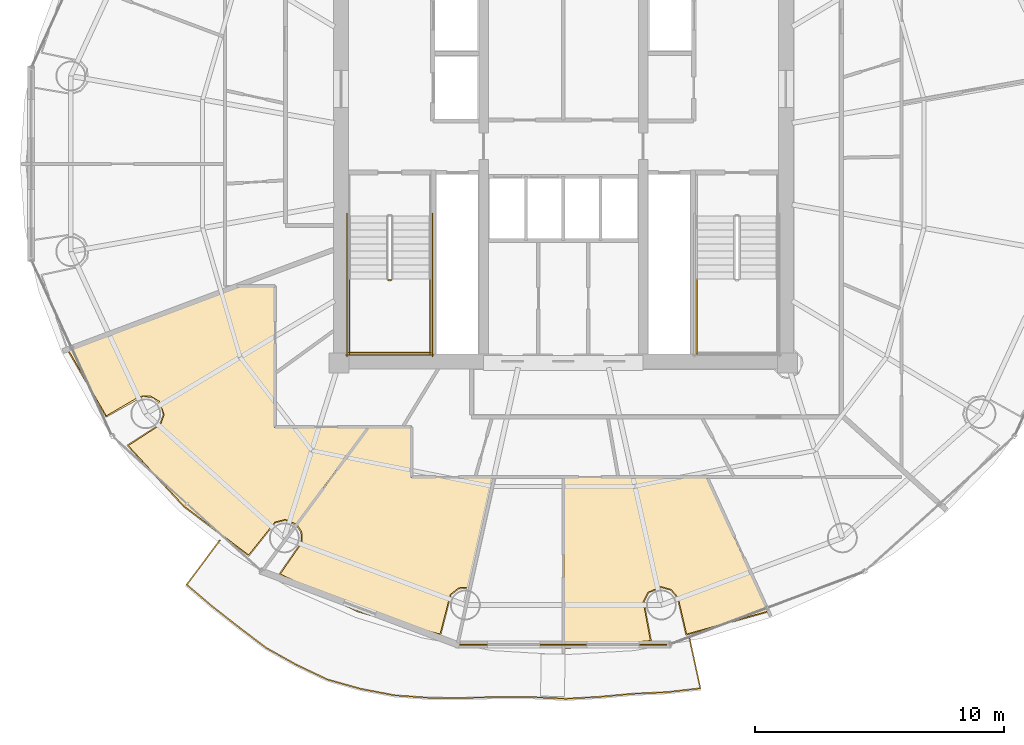
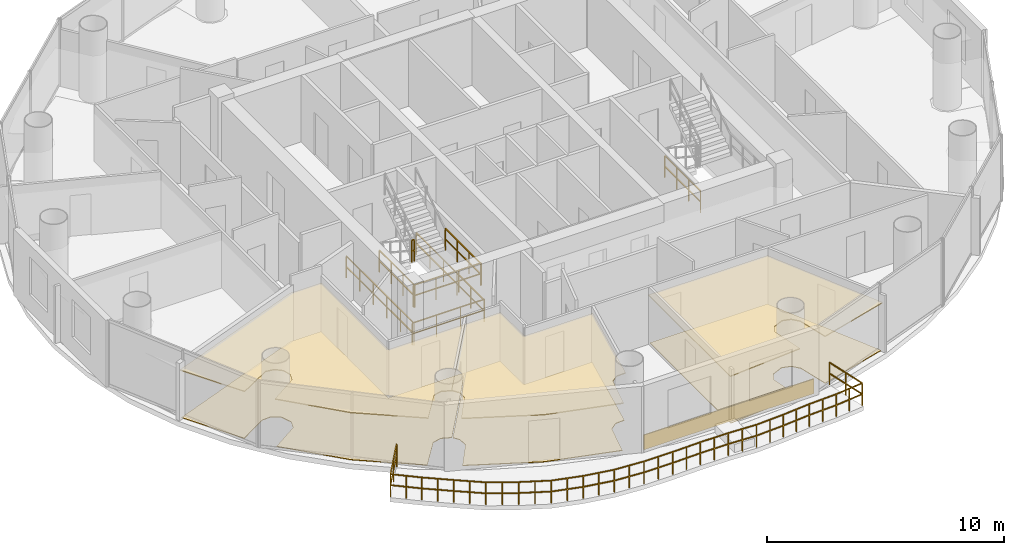
# One storey, part 24 of 26: 9 railings, 7 coverings.
"""IFC4 building model written with IfcOpenShell, lengths in metres."""

from ifc_helpers import new_model, si_unit, direction, frame, origin, origin_2d, place, context, subcontext, project, spatial, polyline, rectangle, outline, extrude, source, transform, mapped, material, layer, layer_set, type_object, element, save


model = new_model("IFC4")

# Units and contexts
model_context = context("Model", 3, precision=1e-05, world=origin(), true_north=direction((-0.2419218956, 0.970295726276)))
body_context = subcontext(model_context, "Body", "Model", "MODEL_VIEW")
ifc_project = project(units=[si_unit("LENGTHUNIT", "METRE"), si_unit("AREAUNIT", "SQUARE_METRE"), si_unit("VOLUMEUNIT", "CUBIC_METRE"), si_unit("PLANEANGLEUNIT", "RADIAN"), si_unit("MASSUNIT", "GRAM", prefix="KILO")], contexts=[model_context])

# Site, building, storey
site_placement = place(None, origin())
site = spatial("IfcSite", under=ifc_project, at=site_placement, CompositionType="ELEMENT")
building_placement = place(site_placement, origin())
building = spatial("IfcBuilding", under=site, at=building_placement, Name="Cobrevalo Terracotta Tower", CompositionType="ELEMENT")
storey_placement = place(building_placement, frame((0.0, 0.0, 209.699951171875)))
storey = spatial("IfcBuildingStorey", under=building, at=storey_placement, Name="L55", CompositionType="ELEMENT", Elevation=209.699951171875)

# Railing
ifc_material_1 = material(Name="Laminated structural glass and stainless steel", Category="steel")
railing_type_1 = type_object("IfcRailingType", Name="Balcony lobe structural glass & terracotta-cap balustrade 1180 mm", PredefinedType="BALUSTRADE", material=ifc_material_1)
railing_1_placement = place(storey_placement, frame((24.21484375, 11.69287109375, 0.0)))
element("IfcRailing", 1, at=railing_1_placement, inside=storey, type_object=railing_type_1, Name="L55 spiralling balcony lobe balustrade 2", PredefinedType="BALUSTRADE", context=body_context, shape_type="SweptSolid", body=[
    extrude(rectangle(XDim=0.048095703125, YDim=0.048095703125, at=origin_2d()), frame((0.0, 0.0, 1.15576171875), z_axis=(-0.597762784822, -0.801673033775, 0.0), x_axis=(0.801673033775, -0.597762784822, 0.0)), (0.0, 0.0, 1.0), 2.2197265625),
    extrude(rectangle(XDim=0.048095703125, YDim=0.048095703125, at=origin_2d()), frame((0.0, 0.0, 0.58984375), z_axis=(-0.597762784822, -0.801673033775, 0.0), x_axis=(0.801673033775, -0.597762784822, 0.0)), (0.0, 0.0, 1.0), 2.2197265625),
    extrude(rectangle(XDim=0.048095703125, YDim=0.048095703125, at=origin_2d()), frame((-1.326904296875, -1.779541015625, 1.15576171875), z_axis=(0.761642658548, -0.647997269037, 0.0), x_axis=(0.647997269037, 0.761642658548, 0.0)), (0.0, 0.0, 1.0), 1.340576171875),
    extrude(rectangle(XDim=0.048095703125, YDim=0.048095703125, at=origin_2d()), frame((-1.326904296875, -1.779541015625, 0.58984375), z_axis=(0.761642658548, -0.647997269037, 0.0), x_axis=(0.647997269037, 0.761642658548, 0.0)), (0.0, 0.0, 1.0), 1.340576171875),
    extrude(rectangle(XDim=0.048095703125, YDim=0.048095703125, at=origin_2d()), frame((-0.305908203125, -2.648193359375, 1.15576171875), z_axis=(0.78735727438, -0.616496976863, 0.0), x_axis=(0.616496976863, 0.78735727438, 0.0)), (0.0, 0.0, 1.0), 1.3603515625),
    extrude(rectangle(XDim=0.048095703125, YDim=0.048095703125, at=origin_2d()), frame((-0.305908203125, -2.648193359375, 0.58984375), z_axis=(0.78735727438, -0.616496976863, 0.0), x_axis=(0.616496976863, 0.78735727438, 0.0)), (0.0, 0.0, 1.0), 1.3603515625),
    extrude(rectangle(XDim=0.048095703125, YDim=0.048095703125, at=origin_2d()), frame((0.76513671875, -3.48681640625, 1.15576171875), z_axis=(0.797200878701, -0.603714136821, 0.0), x_axis=(0.603714136821, 0.797200878701, 0.0)), (0.0, 0.0, 1.0), 1.375244140625),
    extrude(rectangle(XDim=0.048095703125, YDim=0.048095703125, at=origin_2d()), frame((0.76513671875, -3.48681640625, 0.58984375), z_axis=(0.797200878701, -0.603714136821, 0.0), x_axis=(0.603714136821, 0.797200878701, 0.0)), (0.0, 0.0, 1.0), 1.375244140625),
    extrude(rectangle(XDim=0.048095703125, YDim=0.048095703125, at=origin_2d()), frame((1.861572265625, -4.317138671875, 1.15576171875), z_axis=(0.872963388875, -0.487785733375, 0.0), x_axis=(0.487785733375, 0.872963388875, 0.0)), (0.0, 0.0, 1.0), 1.38232421875),
    extrude(rectangle(XDim=0.048095703125, YDim=0.048095703125, at=origin_2d()), frame((1.861572265625, -4.317138671875, 0.58984375), z_axis=(0.872963388875, -0.487785733375, 0.0), x_axis=(0.487785733375, 0.872963388875, 0.0)), (0.0, 0.0, 1.0), 1.38232421875),
    extrude(rectangle(XDim=0.048095703125, YDim=0.048095703125, at=origin_2d()), frame((3.068359375, -4.991455078125, 1.15576171875), z_axis=(0.903238210589, -0.429139528513, 0.0), x_axis=(0.429139528513, 0.903238210589, 0.0)), (0.0, 0.0, 1.0), 1.384765625),
    extrude(rectangle(XDim=0.048095703125, YDim=0.048095703125, at=origin_2d()), frame((3.068359375, -4.991455078125, 0.58984375), z_axis=(0.903238210589, -0.429139528513, 0.0), x_axis=(0.429139528513, 0.903238210589, 0.0)), (0.0, 0.0, 1.0), 1.384765625),
    extrude(rectangle(XDim=0.048095703125, YDim=0.048095703125, at=origin_2d()), frame((4.319091796875, -5.585693359375, 1.15576171875), z_axis=(0.962849200281, -0.270039659157, 0.0), x_axis=(0.270039659157, 0.962849200281, 0.0)), (0.0, 0.0, 1.0), 1.392333984375),
    extrude(rectangle(XDim=0.048095703125, YDim=0.048095703125, at=origin_2d()), frame((4.319091796875, -5.585693359375, 0.58984375), z_axis=(0.962849200281, -0.270039659157, 0.0), x_axis=(0.270039659157, 0.962849200281, 0.0)), (0.0, 0.0, 1.0), 1.392333984375),
    extrude(rectangle(XDim=0.048095703125, YDim=0.048095703125, at=origin_2d()), frame((5.65966796875, -5.961669921875, 1.15576171875), z_axis=(0.982404507671, -0.18676558384, 0.0), x_axis=(0.18676558384, 0.982404507671, 0.0)), (0.0, 0.0, 1.0), 1.39208984375),
    extrude(rectangle(XDim=0.048095703125, YDim=0.048095703125, at=origin_2d()), frame((5.65966796875, -5.961669921875, 0.58984375), z_axis=(0.982404507671, -0.18676558384, 0.0), x_axis=(0.18676558384, 0.982404507671, 0.0)), (0.0, 0.0, 1.0), 1.39208984375),
    extrude(rectangle(XDim=0.048095703125, YDim=0.048095703125, at=origin_2d()), frame((7.02734375, -6.2216796875, 1.15576171875), z_axis=(0.997537108573, -0.070140694466, 0.0), x_axis=(0.070140694466, 0.997537108573, 0.0)), (0.0, 0.0, 1.0), 1.395751953125),
    extrude(rectangle(XDim=0.048095703125, YDim=0.048095703125, at=origin_2d()), frame((7.02734375, -6.2216796875, 0.58984375), z_axis=(0.997537108573, -0.070140694466, 0.0), x_axis=(0.070140694466, 0.997537108573, 0.0)), (0.0, 0.0, 1.0), 1.395751953125),
    extrude(rectangle(XDim=0.048095703125, YDim=0.048095703125, at=origin_2d()), frame((8.419677734375, -6.319580078125, 1.15576171875), z_axis=(0.999996537414, -0.002631569835, 0.0), x_axis=(0.002631569835, 0.999996537414, 0.0)), (0.0, 0.0, 1.0), 1.3916015625),
    extrude(rectangle(XDim=0.048095703125, YDim=0.048095703125, at=origin_2d()), frame((8.419677734375, -6.319580078125, 0.58984375), z_axis=(0.999996537414, -0.002631569835, 0.0), x_axis=(0.002631569835, 0.999996537414, 0.0)), (0.0, 0.0, 1.0), 1.3916015625),
    extrude(rectangle(XDim=0.048095703125, YDim=0.048095703125, at=origin_2d()), frame((9.811279296875, -6.3232421875, 1.15576171875), z_axis=(0.999615105914, 0.027742386857, 0.0), x_axis=(-0.027742386857, 0.999615105914, 0.0)), (0.0, 0.0, 1.0), 1.372802734375),
    extrude(rectangle(XDim=0.048095703125, YDim=0.048095703125, at=origin_2d()), frame((9.811279296875, -6.3232421875, 0.58984375), z_axis=(0.999615105914, 0.027742386857, 0.0), x_axis=(-0.027742386857, 0.999615105914, 0.0)), (0.0, 0.0, 1.0), 1.372802734375),
    extrude(rectangle(XDim=0.048095703125, YDim=0.048095703125, at=origin_2d()), frame((11.18359375, -6.28515625, 1.15576171875), z_axis=(0.999987296902, -0.00504044002, 0.0), x_axis=(0.00504044002, 0.999987296902, 0.0)), (0.0, 0.0, 1.0), 1.356201171875),
    extrude(rectangle(XDim=0.048095703125, YDim=0.048095703125, at=origin_2d()), frame((11.18359375, -6.28515625, 0.58984375), z_axis=(0.999987296902, -0.00504044002, 0.0), x_axis=(0.00504044002, 0.999987296902, 0.0)), (0.0, 0.0, 1.0), 1.356201171875),
    extrude(rectangle(XDim=0.048095703125, YDim=0.048095703125, at=origin_2d()), frame((12.539794921875, -6.2919921875, 1.15576171875), z_axis=(0.998833928871, -0.048278178676, 0.0), x_axis=(0.048278178676, 0.998833928871, 0.0)), (0.0, 0.0, 1.0), 1.35009765625),
    extrude(rectangle(XDim=0.048095703125, YDim=0.048095703125, at=origin_2d()), frame((12.539794921875, -6.2919921875, 0.58984375), z_axis=(0.998833928871, -0.048278178676, 0.0), x_axis=(0.048278178676, 0.998833928871, 0.0)), (0.0, 0.0, 1.0), 1.35009765625),
    extrude(rectangle(XDim=0.048095703125, YDim=0.048095703125, at=origin_2d()), frame((13.888427734375, -6.357177734375, 1.15576171875), z_axis=(0.998368392493, 0.057101251046, 0.0), x_axis=(-0.057101251046, 0.998368392493, 0.0)), (0.0, 0.0, 1.0), 1.35107421875),
    extrude(rectangle(XDim=0.048095703125, YDim=0.048095703125, at=origin_2d()), frame((13.888427734375, -6.357177734375, 0.58984375), z_axis=(0.998368392493, 0.057101251046, 0.0), x_axis=(-0.057101251046, 0.998368392493, 0.0)), (0.0, 0.0, 1.0), 1.35107421875),
    extrude(rectangle(XDim=0.048095703125, YDim=0.048095703125, at=origin_2d()), frame((15.2373046875, -6.280029296875, 1.15576171875), z_axis=(0.995752658795, 0.09206868362, 0.0), x_axis=(-0.09206868362, 0.995752658795, 0.0)), (0.0, 0.0, 1.0), 1.349609375),
    extrude(rectangle(XDim=0.048095703125, YDim=0.048095703125, at=origin_2d()), frame((15.2373046875, -6.280029296875, 0.58984375), z_axis=(0.995752658795, 0.09206868362, 0.0), x_axis=(-0.09206868362, 0.995752658795, 0.0)), (0.0, 0.0, 1.0), 1.349609375),
    extrude(rectangle(XDim=0.048095703125, YDim=0.048095703125, at=origin_2d()), frame((16.581298828125, -6.15576171875, 1.15576171875), z_axis=(0.998933284277, 0.046176764315, 0.0), x_axis=(-0.046176764315, 0.998933284277, 0.0)), (0.0, 0.0, 1.0), 1.353515625),
    extrude(rectangle(XDim=0.048095703125, YDim=0.048095703125, at=origin_2d()), frame((16.581298828125, -6.15576171875, 0.58984375), z_axis=(0.998933284277, 0.046176764315, 0.0), x_axis=(-0.046176764315, 0.998933284277, 0.0)), (0.0, 0.0, 1.0), 1.353515625),
    extrude(rectangle(XDim=0.048095703125, YDim=0.048095703125, at=origin_2d()), frame((17.933349609375, -6.09326171875, 1.15576171875), z_axis=(0.993577748747, 0.113151478979, 0.0), x_axis=(-0.113151478979, 0.993577748747, 0.0)), (0.0, 0.0, 1.0), 1.359375),
    extrude(rectangle(XDim=0.048095703125, YDim=0.048095703125, at=origin_2d()), frame((17.933349609375, -6.09326171875, 0.58984375), z_axis=(0.993577748747, 0.113151478979, 0.0), x_axis=(-0.113151478979, 0.993577748747, 0.0)), (0.0, 0.0, 1.0), 1.359375),
    extrude(rectangle(XDim=0.048095703125, YDim=0.048095703125, at=origin_2d()), frame((19.283935546875, -5.939453125, 1.15576171875), z_axis=(-0.212291313127, 0.97720642567, 0.0), x_axis=(-0.97720642567, -0.212291313127, 0.0)), (0.0, 0.0, 1.0), 2.0517578125),
    extrude(rectangle(XDim=0.048095703125, YDim=0.048095703125, at=origin_2d()), frame((19.283935546875, -5.939453125, 0.58984375), z_axis=(-0.212291313127, 0.97720642567, 0.0), x_axis=(-0.97720642567, -0.212291313127, 0.0)), (0.0, 0.0, 1.0), 2.0517578125),
    extrude(rectangle(XDim=0.0419921875, YDim=0.0419921875, at=origin_2d()), origin(), (0.0, 0.0, 1.0), 1.1318359375),
    extrude(rectangle(XDim=0.0419921875, YDim=0.0419921875, at=origin_2d()), frame((-0.66357421875, -0.8896484375, 0.0)), (0.0, 0.0, 1.0), 1.1318359375),
    extrude(rectangle(XDim=0.0419921875, YDim=0.0419921875, at=origin_2d()), frame((-1.326904296875, -1.779541015625, 0.0)), (0.0, 0.0, 1.0), 1.1318359375),
    extrude(rectangle(XDim=0.0419921875, YDim=0.0419921875, at=origin_2d()), frame((-0.81640625, -2.2138671875, 0.0)), (0.0, 0.0, 1.0), 1.1318359375),
    extrude(rectangle(XDim=0.0419921875, YDim=0.0419921875, at=origin_2d()), frame((-0.305908203125, -2.648193359375, 0.0)), (0.0, 0.0, 1.0), 1.1318359375),
    extrude(rectangle(XDim=0.0419921875, YDim=0.0419921875, at=origin_2d()), frame((0.2294921875, -3.0673828125, 0.0)), (0.0, 0.0, 1.0), 1.1318359375),
    extrude(rectangle(XDim=0.0419921875, YDim=0.0419921875, at=origin_2d()), frame((0.76513671875, -3.48681640625, 0.0)), (0.0, 0.0, 1.0), 1.1318359375),
    extrude(rectangle(XDim=0.0419921875, YDim=0.0419921875, at=origin_2d()), frame((1.3134765625, -3.90185546875, 0.0)), (0.0, 0.0, 1.0), 1.1318359375),
    extrude(rectangle(XDim=0.0419921875, YDim=0.0419921875, at=origin_2d()), frame((1.861572265625, -4.317138671875, 0.0)), (0.0, 0.0, 1.0), 1.1318359375),
    extrude(rectangle(XDim=0.0419921875, YDim=0.0419921875, at=origin_2d()), frame((2.46484375, -4.654296875, 0.0)), (0.0, 0.0, 1.0), 1.1318359375),
    extrude(rectangle(XDim=0.0419921875, YDim=0.0419921875, at=origin_2d()), frame((3.068359375, -4.991455078125, 0.0)), (0.0, 0.0, 1.0), 1.1318359375),
    extrude(rectangle(XDim=0.0419921875, YDim=0.0419921875, at=origin_2d()), frame((3.69384765625, -5.28857421875, 0.0)), (0.0, 0.0, 1.0), 1.1318359375),
    extrude(rectangle(XDim=0.0419921875, YDim=0.0419921875, at=origin_2d()), frame((4.319091796875, -5.585693359375, 0.0)), (0.0, 0.0, 1.0), 1.1318359375),
    extrude(rectangle(XDim=0.0419921875, YDim=0.0419921875, at=origin_2d()), frame((4.9892578125, -5.773681640625, 0.0)), (0.0, 0.0, 1.0), 1.1318359375),
    extrude(rectangle(XDim=0.0419921875, YDim=0.0419921875, at=origin_2d()), frame((5.65966796875, -5.961669921875, 0.0)), (0.0, 0.0, 1.0), 1.1318359375),
    extrude(rectangle(XDim=0.0419921875, YDim=0.0419921875, at=origin_2d()), frame((6.343505859375, -6.091796875, 0.0)), (0.0, 0.0, 1.0), 1.1318359375),
    extrude(rectangle(XDim=0.0419921875, YDim=0.0419921875, at=origin_2d()), frame((7.02734375, -6.2216796875, 0.0)), (0.0, 0.0, 1.0), 1.1318359375),
    extrude(rectangle(XDim=0.0419921875, YDim=0.0419921875, at=origin_2d()), frame((7.7236328125, -6.2705078125, 0.0)), (0.0, 0.0, 1.0), 1.1318359375),
    extrude(rectangle(XDim=0.0419921875, YDim=0.0419921875, at=origin_2d()), frame((8.419677734375, -6.319580078125, 0.0)), (0.0, 0.0, 1.0), 1.1318359375),
    extrude(rectangle(XDim=0.0419921875, YDim=0.0419921875, at=origin_2d()), frame((9.115478515625, -6.3212890625, 0.0)), (0.0, 0.0, 1.0), 1.1318359375),
    extrude(rectangle(XDim=0.0419921875, YDim=0.0419921875, at=origin_2d()), frame((9.811279296875, -6.3232421875, 0.0)), (0.0, 0.0, 1.0), 1.1318359375),
    extrude(rectangle(XDim=0.0419921875, YDim=0.0419921875, at=origin_2d()), frame((10.49755859375, -6.30419921875, 0.0)), (0.0, 0.0, 1.0), 1.1318359375),
    extrude(rectangle(XDim=0.0419921875, YDim=0.0419921875, at=origin_2d()), frame((11.18359375, -6.28515625, 0.0)), (0.0, 0.0, 1.0), 1.1318359375),
    extrude(rectangle(XDim=0.0419921875, YDim=0.0419921875, at=origin_2d()), frame((11.86181640625, -6.28857421875, 0.0)), (0.0, 0.0, 1.0), 1.1318359375),
    extrude(rectangle(XDim=0.0419921875, YDim=0.0419921875, at=origin_2d()), frame((12.539794921875, -6.2919921875, 0.0)), (0.0, 0.0, 1.0), 1.1318359375),
    extrude(rectangle(XDim=0.0419921875, YDim=0.0419921875, at=origin_2d()), frame((13.214111328125, -6.32470703125, 0.0)), (0.0, 0.0, 1.0), 1.1318359375),
    extrude(rectangle(XDim=0.0419921875, YDim=0.0419921875, at=origin_2d()), frame((13.888427734375, -6.357177734375, 0.0)), (0.0, 0.0, 1.0), 1.1318359375),
    extrude(rectangle(XDim=0.0419921875, YDim=0.0419921875, at=origin_2d()), frame((14.56298828125, -6.318603515625, 0.0)), (0.0, 0.0, 1.0), 1.1318359375),
    extrude(rectangle(XDim=0.0419921875, YDim=0.0419921875, at=origin_2d()), frame((15.2373046875, -6.280029296875, 0.0)), (0.0, 0.0, 1.0), 1.1318359375),
    extrude(rectangle(XDim=0.0419921875, YDim=0.0419921875, at=origin_2d()), frame((15.9091796875, -6.2177734375, 0.0)), (0.0, 0.0, 1.0), 1.1318359375),
    extrude(rectangle(XDim=0.0419921875, YDim=0.0419921875, at=origin_2d()), frame((16.581298828125, -6.15576171875, 0.0)), (0.0, 0.0, 1.0), 1.1318359375),
    extrude(rectangle(XDim=0.0419921875, YDim=0.0419921875, at=origin_2d()), frame((17.25732421875, -6.12451171875, 0.0)), (0.0, 0.0, 1.0), 1.1318359375),
    extrude(rectangle(XDim=0.0419921875, YDim=0.0419921875, at=origin_2d()), frame((17.933349609375, -6.09326171875, 0.0)), (0.0, 0.0, 1.0), 1.1318359375),
    extrude(rectangle(XDim=0.0419921875, YDim=0.0419921875, at=origin_2d()), frame((18.608642578125, -6.016357421875, 0.0)), (0.0, 0.0, 1.0), 1.1318359375),
    extrude(rectangle(XDim=0.0419921875, YDim=0.0419921875, at=origin_2d()), frame((19.283935546875, -5.939453125, 0.0)), (0.0, 0.0, 1.0), 1.1318359375),
    extrude(rectangle(XDim=0.0419921875, YDim=0.0419921875, at=origin_2d()), frame((19.066162109375, -4.93701171875, 0.0)), (0.0, 0.0, 1.0), 1.1318359375),
    extrude(rectangle(XDim=0.0419921875, YDim=0.0419921875, at=origin_2d()), frame((18.848388671875, -3.9345703125, 0.0)), (0.0, 0.0, 1.0), 1.1318359375),
])

# Coverings
ifc_material_2 = material(Name="Engineered Brazilian hardwood flooring", Category="wood")
ifc_layer_1 = layer(ifc_material_2, 0.028076171875)
ifc_layer_set_1 = layer_set([ifc_layer_1], Name="Engineered Brazilian hardwood flooring")
covering_type_1 = type_object("IfcCoveringType", Name="Engineered Hardwood Suite Flooring 28", PredefinedType="FLOORING", material=ifc_layer_set_1)
covering_1_placement = place(storey_placement, origin())
element("IfcCovering", 2, at=covering_1_placement, inside=storey, type_object=covering_type_1, Name="Flat L55B Living and Dining Room floor finish", PredefinedType="FLOORING", context=body_context, shape_type="SweptSolid", body=[
    extrude(outline(polyline([(22.782470703125, 13.068603515625), (20.546875, 15.4912109375), (21.840087890625, 16.330810546875), (21.985107421875, 16.735107421875), (21.794677734375, 17.2685546875), (21.42626953125, 17.48974609375), (20.9970703125, 17.468994140625), (19.662109375, 16.6865234375), (18.132568359375, 19.342041015625), (24.912841796875, 21.8798828125), (26.4150390625, 21.8798828125), (26.4150390625, 16.215087890625), (30.1484375, 16.215087890625), (27.2890625, 12.34765625), (26.843505859375, 12.531005859375), (26.426513671875, 12.427734375), (25.3720703125, 11.108154296875), (22.782470703125, 13.068603515625)])), origin(), (0.0, 0.0, 1.0), 0.030029296875),
])
covering_2_placement = place(storey_placement, origin())
element("IfcCovering", 3, at=covering_2_placement, inside=storey, type_object=covering_type_1, Name="Flat L55B Master Bedroom floor finish", PredefinedType="FLOORING", context=body_context, shape_type="SweptSolid", body=[
    extrude(outline(polyline([(29.763916015625, 8.858642578125), (26.6455078125, 10.34033203125), (27.522705078125, 11.610107421875), (27.502685546875, 12.039306640625), (27.318603515625, 12.320556640625), (30.1982421875, 16.215087890625), (31.8798828125, 16.215087890625), (31.8798828125, 14.205078125), (35.207275390625, 14.205078125), (34.240234375, 9.812255859375), (33.801025390625, 9.78662109375), (33.462890625, 9.521484375), (33.0517578125, 7.93017578125), (29.763916015625, 8.858642578125)])), origin(), (0.0, 0.0, 1.0), 0.030029296875),
])
covering_3_placement = place(storey_placement, origin())
element("IfcCovering", 4, at=covering_3_placement, inside=storey, type_object=covering_type_1, Name="Flat L55B Principal Guest Bedroom floor finish", PredefinedType="FLOORING", context=body_context, shape_type="SweptSolid", body=[
    extrude(outline(polyline([(42.9482421875, 7.93017578125), (42.6083984375, 9.39501953125), (42.32861328125, 9.72119140625), (41.91455078125, 9.836669921875), (41.396240234375, 9.6083984375), (41.2021484375, 9.22509765625), (41.490234375, 7.66845703125), (38.02001953125, 7.381103515625), (38.02001953125, 14.205078125), (43.751220703125, 14.205078125), (46.2060546875, 8.849365234375), (42.9482421875, 7.93017578125)])), origin(), (0.0, 0.0, 1.0), 0.030029296875),
])
ifc_material_3 = material(Name="Acoustic perforated gypsum ceiling", Category="gypsum")
ifc_layer_2 = layer(ifc_material_3, 0.050048828125)
ifc_layer_set_2 = layer_set([ifc_layer_2], Name="Acoustic perforated gypsum ceiling")
covering_type_2 = type_object("IfcCoveringType", Name="Perforated Acoustic Gypsum Ceiling 50", PredefinedType="CEILING", material=ifc_layer_set_2)
covering_4_placement = place(storey_placement, frame((0.0, 0.0, 2.445068359375)))
element("IfcCovering", 5, at=covering_4_placement, inside=storey, type_object=covering_type_2, Name="Flat L55B Living and Dining Room acoustic ceiling", PredefinedType="CEILING", context=body_context, shape_type="SweptSolid", body=[
    extrude(outline(polyline([(22.752197265625, 13.03515625), (20.481201171875, 15.50439453125), (21.8037109375, 16.357666015625), (21.93994140625, 16.737548828125), (21.842041015625, 17.12890625), (21.54345703125, 17.39990234375), (21.144287109375, 17.45947265625), (19.650146484375, 16.626953125), (18.068115234375, 19.365966796875), (24.90478515625, 21.925048828125), (26.4599609375, 21.925048828125), (26.4599609375, 16.260009765625), (30.23779296875, 16.260009765625), (27.29541015625, 12.28076171875), (26.84130859375, 12.48583984375), (26.44970703125, 12.388916015625), (25.3837890625, 11.048583984375), (22.752197265625, 13.03515625)])), origin(), (0.0, 0.0, 1.0), 0.050048828125),
])
covering_5_placement = place(storey_placement, frame((0.0, 0.0, 2.445068359375)))
element("IfcCovering", 6, at=covering_5_placement, inside=storey, type_object=covering_type_2, Name="Flat L55B Master Bedroom acoustic ceiling", PredefinedType="CEILING", context=body_context, shape_type="SweptSolid", body=[
    extrude(outline(polyline([(29.748291015625, 8.81640625), (26.579833984375, 10.327392578125), (27.478759765625, 11.621337890625), (27.460205078125, 12.024169921875), (27.25830078125, 12.314697265625), (30.175537109375, 16.260009765625), (31.925048828125, 16.260009765625), (31.925048828125, 14.25), (35.26318359375, 14.25), (34.275146484375, 9.76123046875), (33.8173828125, 9.74462890625), (33.499755859375, 9.49560546875), (33.08642578125, 7.878173828125), (29.748291015625, 8.81640625)])), origin(), (0.0, 0.0, 1.0), 0.050048828125),
])
covering_6_placement = place(storey_placement, frame((0.0, 0.0, 2.445068359375)))
element("IfcCovering", 7, at=covering_6_placement, inside=storey, type_object=covering_type_2, Name="Flat L55B Principal Guest Bedroom acoustic ceiling", PredefinedType="CEILING", context=body_context, shape_type="SweptSolid", body=[
    extrude(outline(polyline([(42.91357421875, 7.878173828125), (42.56689453125, 9.376953125), (42.30419921875, 9.68310546875), (41.915771484375, 9.79150390625), (41.428955078125, 9.5771484375), (41.246826171875, 9.21728515625), (41.544189453125, 7.632568359375), (37.97509765625, 7.33349609375), (37.97509765625, 14.25), (43.780029296875, 14.25), (46.268310546875, 8.8212890625), (42.91357421875, 7.878173828125)])), origin(), (0.0, 0.0, 1.0), 0.050048828125),
])

# Railings
ifc_material_4 = material(Name="Painted galvanized steel", Category="steel")
railing_type_2 = type_object("IfcRailingType", Name="Stair Well Guard Balustrade 1150", PredefinedType="GUARDRAIL", material=ifc_material_4)
railing_2_placement = place(storey_placement, frame((30.97509765625, 22.1298828125, 1.85009765625)))
element("IfcRailing", 8, at=railing_2_placement, inside=storey, type_object=railing_type_2, Name="L55 ST-1 stair guard 2", PredefinedType="GUARDRAIL", context=body_context, shape_type="SweptSolid", body=[
    extrude(rectangle(XDim=0.048095703125, YDim=0.048095703125, at=origin_2d()), frame((0.0, 0.0, 1.1259765625), z_axis=(1.0, 0.0, 0.0), x_axis=(0.0, 1.0, 0.0)), (0.0, 0.0, 1.0), 0.119873046875),
    extrude(rectangle(XDim=0.048095703125, YDim=0.048095703125, at=origin_2d()), frame((0.0, 0.0, 0.574951171875), z_axis=(1.0, 0.0, 0.0), x_axis=(0.0, 1.0, 0.0)), (0.0, 0.0, 1.0), 0.119873046875),
    extrude(rectangle(XDim=0.0419921875, YDim=0.0419921875, at=origin_2d()), origin(), (0.0, 0.0, 1.0), 1.101806640625),
    extrude(rectangle(XDim=0.0419921875, YDim=0.0419921875, at=origin_2d()), frame((0.119873046875, 0.0, 0.0)), (0.0, 0.0, 1.0), 1.101806640625),
])
for number, where, name in (
    (9, (29.425048828125, 22.179931640625, 1.85009765625), "L55 ST-1 stair guard 3"),
    (10, (32.64501953125, 22.179931640625, 1.85009765625), "L55 ST-1 stair guard 4"),
):
    element("IfcRailing", number, at=place(storey_placement, frame(where)), inside=storey, type_object=railing_type_2, Name=name, PredefinedType="GUARDRAIL", context=body_context, shape_type="SweptSolid", body=[
        extrude(rectangle(XDim=0.048095703125, YDim=0.048095703125, at=origin_2d()), frame((0.0, 0.0, 1.1259765625), z_axis=(0.0, -1.0, 0.0), x_axis=(1.0, 0.0, 0.0)), (0.0, 0.0, 1.0), 3.0048828125),
        extrude(rectangle(XDim=0.048095703125, YDim=0.048095703125, at=origin_2d()), frame((0.0, 0.0, 0.574951171875), z_axis=(0.0, -1.0, 0.0), x_axis=(1.0, 0.0, 0.0)), (0.0, 0.0, 1.0), 3.0048828125),
        extrude(rectangle(XDim=0.0419921875, YDim=0.0419921875, at=origin_2d()), origin(), (0.0, 0.0, 1.0), 1.101806640625),
        extrude(rectangle(XDim=0.0419921875, YDim=0.0419921875, at=origin_2d()), frame((0.0, -1.001708984375, 0.0)), (0.0, 0.0, 1.0), 1.101806640625),
        extrude(rectangle(XDim=0.0419921875, YDim=0.0419921875, at=origin_2d()), frame((0.0, -2.003173828125, 0.0)), (0.0, 0.0, 1.0), 1.101806640625),
        extrude(rectangle(XDim=0.0419921875, YDim=0.0419921875, at=origin_2d()), frame((0.0, -3.0048828125, 0.0)), (0.0, 0.0, 1.0), 1.101806640625),
    ])
railing_3_placement = place(storey_placement, frame((29.375, 19.22509765625, 1.85009765625)))
element("IfcRailing", 11, at=railing_3_placement, inside=storey, type_object=railing_type_2, Name="L55 ST-1 stair guard 5", PredefinedType="GUARDRAIL", context=body_context, shape_type="SweptSolid", body=[
    extrude(rectangle(XDim=0.048095703125, YDim=0.048095703125, at=origin_2d()), frame((0.0, 0.0, 1.1259765625), z_axis=(1.0, 0.0, 0.0), x_axis=(0.0, 1.0, 0.0)), (0.0, 0.0, 1.0), 3.320068359375),
    extrude(rectangle(XDim=0.048095703125, YDim=0.048095703125, at=origin_2d()), frame((0.0, 0.0, 0.574951171875), z_axis=(1.0, 0.0, 0.0), x_axis=(0.0, 1.0, 0.0)), (0.0, 0.0, 1.0), 3.320068359375),
    extrude(rectangle(XDim=0.0419921875, YDim=0.0419921875, at=origin_2d()), origin(), (0.0, 0.0, 1.0), 1.101806640625),
    extrude(rectangle(XDim=0.0419921875, YDim=0.0419921875, at=origin_2d()), frame((1.106689453125, 0.0, 0.0)), (0.0, 0.0, 1.0), 1.101806640625),
    extrude(rectangle(XDim=0.0419921875, YDim=0.0419921875, at=origin_2d()), frame((2.21337890625, 0.0, 0.0)), (0.0, 0.0, 1.0), 1.101806640625),
    extrude(rectangle(XDim=0.0419921875, YDim=0.0419921875, at=origin_2d()), frame((3.320068359375, 0.0, 0.0)), (0.0, 0.0, 1.0), 1.101806640625),
])
for number, where, name in (
    (12, (29.324951171875, 24.800048828125, 0.0), "L55 ST-1 stair guard 10"),
    (13, (32.7451171875, 24.800048828125, 0.0), "L55 ST-1 stair guard 11"),
):
    element("IfcRailing", number, at=place(storey_placement, frame(where)), inside=storey, type_object=railing_type_2, Name=name, PredefinedType="GUARDRAIL", context=body_context, shape_type="SweptSolid", body=[
        extrude(rectangle(XDim=0.048095703125, YDim=0.048095703125, at=origin_2d()), frame((0.0, 0.0, 1.1259765625), z_axis=(0.0, -1.0, 0.0), x_axis=(1.0, 0.0, 0.0)), (0.0, 0.0, 1.0), 5.72509765625),
        extrude(rectangle(XDim=0.048095703125, YDim=0.048095703125, at=origin_2d()), frame((0.0, 0.0, 0.574951171875), z_axis=(0.0, -1.0, 0.0), x_axis=(1.0, 0.0, 0.0)), (0.0, 0.0, 1.0), 5.72509765625),
        extrude(rectangle(XDim=0.0419921875, YDim=0.0419921875, at=origin_2d()), origin(), (0.0, 0.0, 1.0), 1.101806640625),
        extrude(rectangle(XDim=0.0419921875, YDim=0.0419921875, at=origin_2d()), frame((0.0, -1.14501953125, 0.0)), (0.0, 0.0, 1.0), 1.101806640625),
        extrude(rectangle(XDim=0.0419921875, YDim=0.0419921875, at=origin_2d()), frame((0.0, -2.2900390625, 0.0)), (0.0, 0.0, 1.0), 1.101806640625),
        extrude(rectangle(XDim=0.0419921875, YDim=0.0419921875, at=origin_2d()), frame((0.0, -3.43505859375, 0.0)), (0.0, 0.0, 1.0), 1.101806640625),
        extrude(rectangle(XDim=0.0419921875, YDim=0.0419921875, at=origin_2d()), frame((0.0, -4.580078125, 0.0)), (0.0, 0.0, 1.0), 1.101806640625),
        extrude(rectangle(XDim=0.0419921875, YDim=0.0419921875, at=origin_2d()), frame((0.0, -5.72509765625, 0.0)), (0.0, 0.0, 1.0), 1.101806640625),
    ])
railing_4_placement = place(storey_placement, frame((29.27490234375, 19.125, 0.0)))
element("IfcRailing", 14, at=railing_4_placement, inside=storey, type_object=railing_type_2, Name="L55 ST-1 stair guard 12", PredefinedType="GUARDRAIL", context=body_context, shape_type="SweptSolid", body=[
    extrude(rectangle(XDim=0.048095703125, YDim=0.048095703125, at=origin_2d()), frame((0.0, 0.0, 1.1259765625), z_axis=(1.0, 0.0, 0.0), x_axis=(0.0, 1.0, 0.0)), (0.0, 0.0, 1.0), 3.52001953125),
    extrude(rectangle(XDim=0.048095703125, YDim=0.048095703125, at=origin_2d()), frame((0.0, 0.0, 0.574951171875), z_axis=(1.0, 0.0, 0.0), x_axis=(0.0, 1.0, 0.0)), (0.0, 0.0, 1.0), 3.52001953125),
    extrude(rectangle(XDim=0.0419921875, YDim=0.0419921875, at=origin_2d()), origin(), (0.0, 0.0, 1.0), 1.101806640625),
    extrude(rectangle(XDim=0.0419921875, YDim=0.0419921875, at=origin_2d()), frame((1.17333984375, 0.0, 0.0)), (0.0, 0.0, 1.0), 1.101806640625),
    extrude(rectangle(XDim=0.0419921875, YDim=0.0419921875, at=origin_2d()), frame((2.3466796875, 0.0, 0.0)), (0.0, 0.0, 1.0), 1.101806640625),
    extrude(rectangle(XDim=0.0419921875, YDim=0.0419921875, at=origin_2d()), frame((3.52001953125, 0.0, 0.0)), (0.0, 0.0, 1.0), 1.101806640625),
])
railing_5_placement = place(storey_placement, frame((43.35498046875, 22.179931640625, 1.85009765625)))
element("IfcRailing", 15, at=railing_5_placement, inside=storey, type_object=railing_type_2, Name="L55 ST-2 stair guard 3", PredefinedType="GUARDRAIL", context=body_context, shape_type="SweptSolid", body=[
    extrude(rectangle(XDim=0.048095703125, YDim=0.048095703125, at=origin_2d()), frame((0.0, 0.0, 1.1259765625), z_axis=(0.0, -1.0, 0.0), x_axis=(1.0, 0.0, 0.0)), (0.0, 0.0, 1.0), 3.0048828125),
    extrude(rectangle(XDim=0.048095703125, YDim=0.048095703125, at=origin_2d()), frame((0.0, 0.0, 0.574951171875), z_axis=(0.0, -1.0, 0.0), x_axis=(1.0, 0.0, 0.0)), (0.0, 0.0, 1.0), 3.0048828125),
    extrude(rectangle(XDim=0.0419921875, YDim=0.0419921875, at=origin_2d()), origin(), (0.0, 0.0, 1.0), 1.101806640625),
    extrude(rectangle(XDim=0.0419921875, YDim=0.0419921875, at=origin_2d()), frame((0.0, -1.001708984375, 0.0)), (0.0, 0.0, 1.0), 1.101806640625),
    extrude(rectangle(XDim=0.0419921875, YDim=0.0419921875, at=origin_2d()), frame((0.0, -2.003173828125, 0.0)), (0.0, 0.0, 1.0), 1.101806640625),
    extrude(rectangle(XDim=0.0419921875, YDim=0.0419921875, at=origin_2d()), frame((0.0, -3.0048828125, 0.0)), (0.0, 0.0, 1.0), 1.101806640625),
])

# Covering
ifc_material_5 = material(Name="Glazed terracotta facade cladding tile", Category="masonry")
ifc_layer_3 = layer(ifc_material_5, 0.044921875)
ifc_layer_set_3 = layer_set([ifc_layer_3], Name="Glazed terracotta facade cladding tile")
covering_type_3 = type_object("IfcCoveringType", Name="Architectural terracotta rainscreen spandrel cladding 45 mm", PredefinedType="CLADDING", material=ifc_layer_set_3)
shared_shape = source(origin(), body_context, "Body", "SweptSolid", [
    extrude(rectangle(XDim=8.294189453125, YDim=0.044921875, at=origin_2d()), origin(), (0.0, 0.0, 1.0), 0.760009765625),
])
covering_7_placement = place(storey_placement, frame((38.0, 7.508056640625, 0.0400390625), z_axis=(0.0, 0.0, 1.0), x_axis=(1.0, 0.0, 0.0)))
element("IfcCovering", 16, at=covering_7_placement, inside=storey, type_object=covering_type_3, Name="L55 terracotta spandrel cladding S12", PredefinedType="CLADDING", context=body_context, shape_type="MappedRepresentation", body=[
    mapped(shared_shape, transform((0.0, 0.0, 0.0), scale=1.0)),
])

save(model, "model.ifc")
